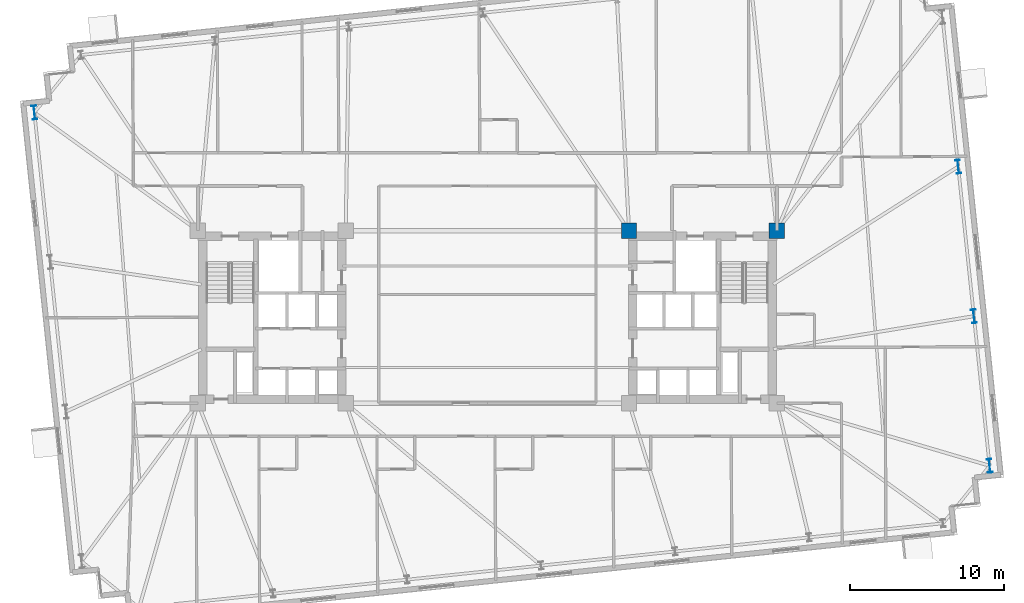
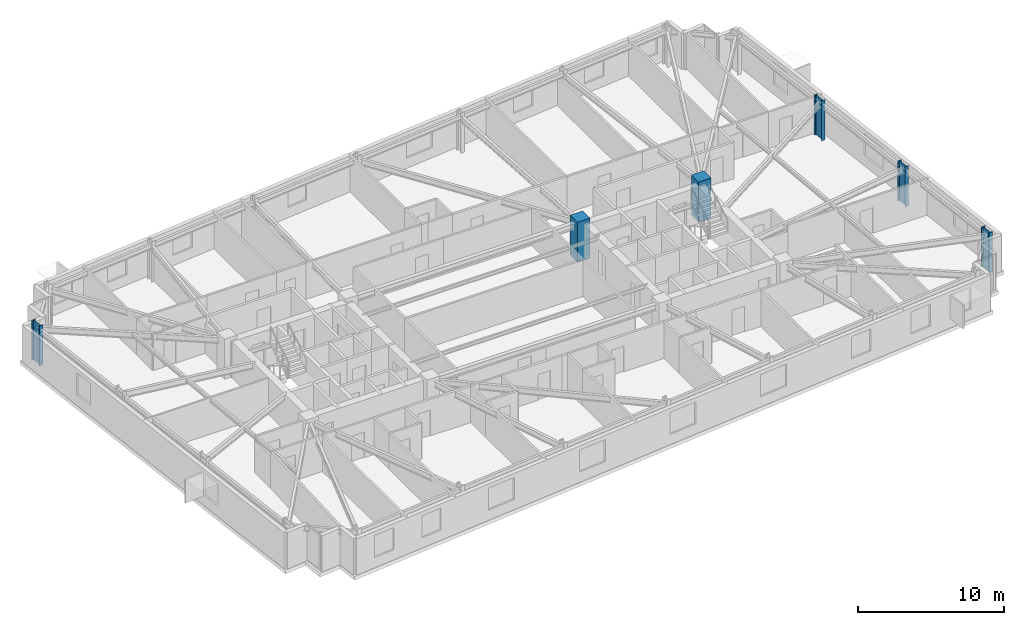
# One storey, part 2 of 18: 6 columns.
"""IFC4 building model written with IfcOpenShell, lengths in metres."""

import ifcopenshell
import ifcopenshell.guid

model = None  # the IFC model being written
_history = None  # IfcOwnerHistory: only IFC2X3 demands one
_inside = {}  # id of a spatial element -> (the spatial element, [elements in it])
_under = {}  # id of a project, library or spatial element -> (it, [spatial elements below it])
_declared = {}  # id of a project -> (the project, [libraries it declares])
_typed = {}  # id of a type object -> (the type object, [elements of that type])
_made_of = {}  # id of a material, layer set ... -> (it, [elements and type objects made of it])


def new_model(schema):
    """Start an empty IFC model of exactly this schema.

    Asked for "IFC4X3", IfcOpenShell would pick the latest addendum, in which some entities
    have other attributes; the version numbers below select the first issue.
    IFC2X3 requires an IfcOwnerHistory on every rooted entity: one is made here for all.
    """
    global model, _history
    if schema == "IFC4X3":
        model = ifcopenshell.file(schema_version=(4, 3, 0, 0))
    else:
        model = ifcopenshell.file(schema=schema)
    _inside.clear()
    _under.clear()
    _declared.clear()
    _typed.clear()
    _made_of.clear()
    _history = None
    if model.schema == "IFC2X3":
        org = make("IfcOrganization", Name="unknown")
        user = make(
            "IfcPersonAndOrganization",
            ThePerson=make("IfcPerson", FamilyName="unknown"),
            TheOrganization=org,
        )
        app = make(
            "IfcApplication",
            ApplicationDeveloper=org,
            Version="unknown",
            ApplicationFullName="unknown",
            ApplicationIdentifier="unknown",
        )
        _history = make(
            "IfcOwnerHistory",
            OwningUser=user,
            OwningApplication=app,
            ChangeAction="ADDED",
            CreationDate=0,
        )
    return model


def make(cls, **values):
    """One entity of the class cls with the attributes given. An attribute that is None is left unset."""
    return model.create_entity(
        cls, **{name: value for name, value in values.items() if value is not None}
    )


def rooted(cls, **values):
    """An entity with a GlobalId (a new one), such as an element, a storey or a relation."""
    return make(cls, GlobalId=ifcopenshell.guid.new(), OwnerHistory=_history, **values)


def si_unit(unit_type, name, prefix=None):
    """IfcSIUnit, for example si_unit("LENGTHUNIT", "METRE", prefix="MILLI")."""
    return make("IfcSIUnit", UnitType=unit_type, Prefix=prefix, Name=name)


def assignment(units):
    """IfcUnitAssignment: the units of a project."""
    return None if units is None else make("IfcUnitAssignment", Units=units)


def point(xyz):
    """IfcCartesianPoint."""
    return None if xyz is None else make("IfcCartesianPoint", Coordinates=xyz)


def direction(xyz):
    """IfcDirection."""
    return None if xyz is None else make("IfcDirection", DirectionRatios=xyz)


def frame(location, z_axis=None, x_axis=None):
    """IfcAxis2Placement3D, a coordinate frame: its origin and axes. An axis left out is left unset."""
    return make(
        "IfcAxis2Placement3D",
        Location=point(location),
        Axis=direction(z_axis),
        RefDirection=direction(x_axis),
    )


def frame_2d(location, x_axis=None):
    """IfcAxis2Placement2D, a coordinate frame in the plane: its origin and x axis."""
    return make(
        "IfcAxis2Placement2D", Location=point(location), RefDirection=direction(x_axis)
    )


def origin():
    """The frame at (0, 0, 0) with its axes left unset."""
    return frame((0.0, 0.0, 0.0))


def origin_2d():
    """The frame at (0, 0) in the plane with its x axis left unset."""
    return frame_2d((0.0, 0.0))


def place(relative_to, where):
    """IfcLocalPlacement: puts the frame where relative to a parent placement (None: the world)."""
    return make(
        "IfcLocalPlacement", PlacementRelTo=relative_to, RelativePlacement=where
    )


def context(
    kind, dimensions, precision=None, world=None, true_north=None, identifier=None
):
    """IfcGeometricRepresentationContext, for example the 3D "Model" context."""
    return make(
        "IfcGeometricRepresentationContext",
        ContextIdentifier=identifier,
        ContextType=kind,
        CoordinateSpaceDimension=dimensions,
        Precision=precision,
        WorldCoordinateSystem=world,
        TrueNorth=true_north,
    )


def subcontext(parent, identifier, kind, view, scale=None):
    """IfcGeometricRepresentationSubContext, for example "Body" below "Model"."""
    return make(
        "IfcGeometricRepresentationSubContext",
        ContextIdentifier=identifier,
        ContextType=kind,
        ParentContext=parent,
        TargetScale=scale,
        TargetView=view,
    )


def project(units=None, contexts=None):
    """IfcProject with its units and contexts."""
    return rooted(
        "IfcProject",
        Name="project",
        RepresentationContexts=contexts,
        UnitsInContext=assignment(units),
    )


def spatial(cls, under=None, at=None, **own):
    """A site, building, storey or space (cls), placed at a placement, below another one or the project."""
    s = rooted(cls, ObjectPlacement=at, **own)
    if under is not None:
        _under.setdefault(under.id(), (under, []))[1].append(s)
    return s


def profile(cls, at=None, kind="AREA", **sizes):
    """A parametric profile (cls). Its sizes go by their IFC names, for example OverallWidth=200.0."""
    return make(cls, ProfileType=kind, Position=at, **sizes)


def rectangle(**sizes):
    """IfcRectangleProfileDef."""
    return profile("IfcRectangleProfileDef", **sizes)


def i_section(**sizes):
    """IfcIShapeProfileDef."""
    return profile("IfcIShapeProfileDef", **sizes)


def extrude(swept, where, along, depth):
    """IfcExtrudedAreaSolid: the profile swept, set in the frame where, extruded along a direction by depth."""
    return make(
        "IfcExtrudedAreaSolid",
        SweptArea=swept,
        Position=where,
        ExtrudedDirection=direction(along),
        Depth=depth,
    )


def shape(context_of_items, identifier, shape_type, items):
    """IfcShapeRepresentation: the items that make up one representation, for example the "Body"."""
    return make(
        "IfcShapeRepresentation",
        ContextOfItems=context_of_items,
        RepresentationIdentifier=identifier,
        RepresentationType=shape_type,
        Items=items,
    )


def material(Name=None, Category=None):
    """IfcMaterial."""
    return make("IfcMaterial", Name=Name, Category=Category)


def material_profile(
    of_material, cross_section, Name=None, Category=None, Priority=None
):
    """IfcMaterialProfile: a cross section and its material."""
    return make(
        "IfcMaterialProfile",
        Name=Name,
        Material=of_material,
        Profile=cross_section,
        Priority=Priority,
        Category=Category,
    )


def profile_set(profiles, Name=None, composite=None):
    """IfcMaterialProfileSet."""
    return make(
        "IfcMaterialProfileSet",
        Name=Name,
        MaterialProfiles=profiles,
        CompositeProfile=composite,
    )


def made_of(thing, what):
    """Note that an element or type object is made of a material, layer set ...; save() writes the relation."""
    if what is not None:
        _made_of.setdefault(what.id(), (what, []))[1].append(thing)
    return thing


def type_object(cls, material=None, **own):
    """A type object (cls), such as IfcWallType, which elements share."""
    return made_of(rooted(cls, **own), material)


def element(
    cls,
    number,
    at=None,
    inside=None,
    cuts=None,
    type_object=None,
    material=None,
    context=None,
    identifier="Body",
    shape_type=None,
    held_by="IfcProductDefinitionShape",
    body=None,
    shapes=None,
    **own,
):
    """One element of the class cls, such as IfcWall. Its Tag is "e" and its number.

    at: its placement. inside: the storey or other place that contains it. cuts: it is an
    opening in that element (IfcRelVoidsElement). A single representation is given by context,
    identifier, shape_type and body (its items); several are given by shapes. held_by: the class
    of the entity that holds the representations. save() writes the other relations.
    """
    e = rooted(cls, Tag="e%d" % number, ObjectPlacement=at, **own)
    if body is not None:
        shapes = [shape(context, identifier, shape_type, body)]
    if shapes is not None:
        e.Representation = make(held_by, Representations=shapes)
    if inside is not None:
        _inside.setdefault(inside.id(), (inside, []))[1].append(e)
    if cuts is not None:
        rooted(
            "IfcRelVoidsElement", RelatingBuildingElement=cuts, RelatedOpeningElement=e
        )
    if type_object is not None:
        _typed.setdefault(type_object.id(), (type_object, []))[1].append(e)
    return made_of(e, material)


def aggregate(whole, parts):
    """IfcRelAggregates: a whole, such as a stair, and the parts it consists of."""
    return rooted("IfcRelAggregates", RelatingObject=whole, RelatedObjects=parts)


def save(model, path):
    """Write the relations noted so far, then the file.

    IfcRelAggregates (storeys below a building ...), IfcRelContainedInSpatialStructure (elements
    in a storey), IfcRelDefinesByType, IfcRelAssociatesMaterial and IfcRelDeclares: one each for
    every whole, place, type object, material and project.
    """
    for whole, parts in _under.values():
        aggregate(whole, parts)
    for where, things in _inside.values():
        rooted(
            "IfcRelContainedInSpatialStructure",
            RelatedElements=things,
            RelatingStructure=where,
        )
    for kind, things in _typed.values():
        rooted("IfcRelDefinesByType", RelatedObjects=things, RelatingType=kind)
    for what, things in _made_of.values():
        rooted("IfcRelAssociatesMaterial", RelatedObjects=things, RelatingMaterial=what)
    for by, libraries in _declared.values():
        rooted("IfcRelDeclares", RelatingContext=by, RelatedDefinitions=libraries)
    model.write(path)


model = new_model("IFC4")

# Units and contexts
model_context = context("Model", 3, precision=1e-05, world=origin(), true_north=direction((0.0, 1.0)))
body_context = subcontext(model_context, "Body", "Model", "MODEL_VIEW")
ifc_project = project(units=[si_unit("LENGTHUNIT", "METRE"), si_unit("AREAUNIT", "SQUARE_METRE"), si_unit("VOLUMEUNIT", "CUBIC_METRE"), si_unit("PLANEANGLEUNIT", "RADIAN"), si_unit("MASSUNIT", "GRAM", prefix="KILO")], contexts=[model_context])

# Site, building, storey
site_placement = place(None, origin())
site = spatial("IfcSite", under=ifc_project, at=site_placement, CompositionType="ELEMENT")
building_placement = place(site_placement, origin())
building = spatial("IfcBuilding", under=site, at=building_placement, Name="Qobustan Lattice House", CompositionType="ELEMENT")
storey_placement = place(building_placement, frame((0.0, 0.0, 92.39990234375)))
storey = spatial("IfcBuildingStorey", under=building, at=storey_placement, Name="L25", CompositionType="ELEMENT", Elevation=92.39990234375)

# Columns
ifc_material_1 = material(Name="Concrete C60/75", Category="concrete")
ifc_material_profile_1 = material_profile(ifc_material_1, rectangle(XDim=1.0, YDim=1.0, at=origin_2d()), Name="RC1000x1000")
ifc_profile_set_1 = profile_set([ifc_material_profile_1], Name="Concrete C60/75")
column_type_1 = type_object("IfcColumnType", Name="COL-RC-1000", PredefinedType="COLUMN", material=ifc_profile_set_1)
for number, where, z_axis, x_axis, name in (
    (1, (9.199951171875, 5.60009765625, 0.0), (0.0, 0.0, 1.0), (1.0, 0.0, 0.0), "L25 core mega-column CE-NW"),
    (2, (18.800048828125, 5.60009765625, 0.0), (0.0, 0.0, 1.0), (1.0, 0.0, 0.0), "L25 core mega-column CE-NE"),
):
    element("IfcColumn", number, at=place(storey_placement, frame(where, z_axis=z_axis, x_axis=x_axis)), inside=storey, type_object=column_type_1, Name=name, PredefinedType="COLUMN", context=body_context, shape_type="SweptSolid", body=[
        extrude(rectangle(XDim=1.0, YDim=1.0, at=origin_2d()), origin(), (0.0, 0.0, 1.0), 3.35009765625),
    ])
ifc_material_2 = material(Name="Steel S355", Category="steel")
ifc_material_profile_2 = material_profile(ifc_material_2, i_section(OverallWidth=0.300048828125, OverallDepth=0.89990234375, WebThickness=0.0185546875, FlangeThickness=0.034912109375, FilletRadius=0.030029296875, at=origin_2d()), Name="HEB900")
ifc_profile_set_2 = profile_set([ifc_material_profile_2], Name="Steel S355")
column_type_2 = type_object("IfcColumnType", Name="COL-ST-HEB900", PredefinedType="COLUMN", material=ifc_profile_set_2)
for number, where, z_axis, x_axis, name in (
    (3, (32.618896484375, -9.67041015625, 0.0), (0.0, 0.0, 1.0), (0.994521895368, 0.104528463268, 0.0), "L25 B2 perimeter column E1"),
    (4, (31.597900390625, 0.042724609375, 0.0), (0.0, 0.0, 1.0), (0.994521895368, 0.104528463268, 0.0), "L25 B2 perimeter column E2"),
    (5, (30.5771484375, 9.755859375, 0.0), (0.0, 0.0, 1.0), (0.994521895368, 0.104528463268, 0.0), "L25 B2 perimeter column E3"),
    (6, (-29.4189453125, 13.2705078125, 0.0), (0.0, 0.0, 1.0), (0.994521895368, 0.104528463268, 0.0), "L25 B2 perimeter column W1"),
):
    element("IfcColumn", number, at=place(storey_placement, frame(where, z_axis=z_axis, x_axis=x_axis)), inside=storey, type_object=column_type_2, Name=name, PredefinedType="COLUMN", context=body_context, shape_type="SweptSolid", body=[
        extrude(i_section(OverallWidth=0.300048828125, OverallDepth=0.89990234375, WebThickness=0.0185546875, FlangeThickness=0.034912109375, FilletRadius=0.030029296875, at=origin_2d()), origin(), (0.0, 0.0, 1.0), 3.35009765625),
    ])

save(model, "model.ifc")
